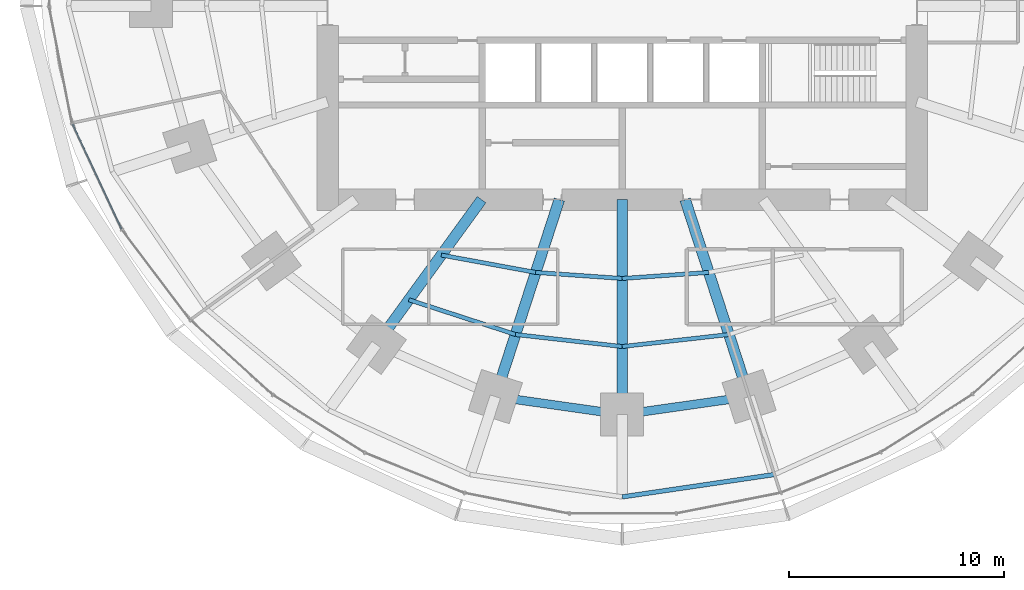
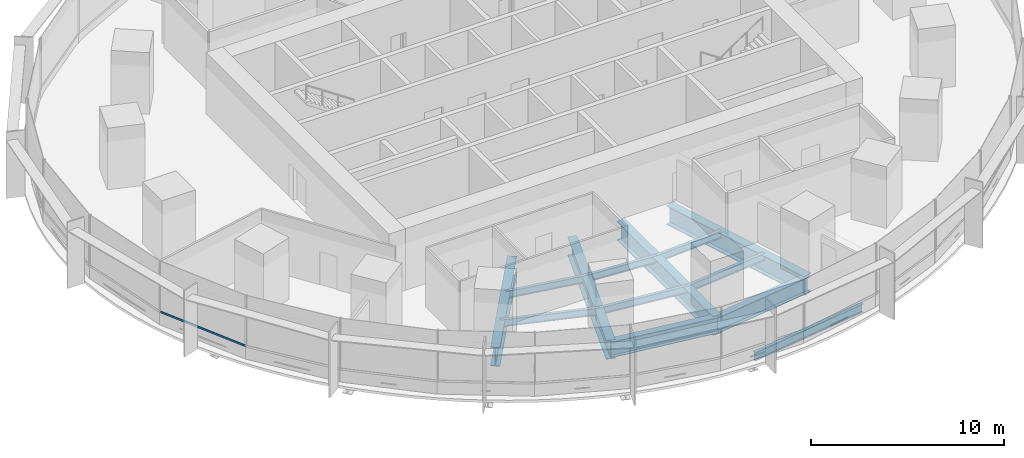
# One storey, part 3 of 15: 13 beams, 1 member, 1 element without a shape of its own.
"""IFC4 building model written with IfcOpenShell, lengths in metres."""

from ifc_helpers import new_model, si_unit, direction, frame, origin, origin_2d, place, context, subcontext, project, spatial, rectangle, i_section, extrude, material, material_profile, profile_set, type_object, element, aggregate, save


model = new_model("IFC4")

# Units and contexts
model_context = context("Model", 3, precision=1e-05, world=origin(), true_north=direction((0.0, 1.0)))
body_context = subcontext(model_context, "Body", "Model", "MODEL_VIEW")
ifc_project = project(units=[si_unit("LENGTHUNIT", "METRE"), si_unit("AREAUNIT", "SQUARE_METRE"), si_unit("VOLUMEUNIT", "CUBIC_METRE"), si_unit("PLANEANGLEUNIT", "RADIAN"), si_unit("MASSUNIT", "GRAM", prefix="KILO")], contexts=[model_context])

# Site, building, storey
site_placement = place(None, origin())
site = spatial("IfcSite", under=ifc_project, at=site_placement, CompositionType="ELEMENT")
building_placement = place(site_placement, origin())
building = spatial("IfcBuilding", under=site, at=building_placement, Name="Marramba Exchange Tower", CompositionType="ELEMENT")
storey_placement = place(building_placement, frame((0.0, 0.0, 23.800048828125)))
storey = spatial("IfcBuildingStorey", under=building, at=storey_placement, Name="L05", CompositionType="ELEMENT", Elevation=23.800048828125)

# Beams
ifc_material_1 = material(Name="Steel AS/NZS 3679.1 grade 300", Category="steel")
ifc_material_profile_1 = material_profile(ifc_material_1, i_section(OverallWidth=0.18994140625, OverallDepth=0.4541015625, WebThickness=0.008544921875, FlangeThickness=0.0126953125, FilletRadius=0.011474609375, at=origin_2d()), Name="460UB67.1")
ifc_profile_set_1 = profile_set([ifc_material_profile_1], Name="Steel AS/NZS 3679.1 grade 300")
beam_type_1 = type_object("IfcBeamType", Name="Floor joist 460UB67.1", PredefinedType="JOIST", material=ifc_profile_set_1)
beam_1_placement = place(storey_placement, frame((-8.41162109375, -11.57763671875, -0.386962890625), z_axis=(0.983455754421, -0.181148500119, 0.0), x_axis=(0.181148500119, 0.983455754421, 0.0)))
element("IfcBeam", 1, at=beam_1_placement, inside=storey, type_object=beam_type_1, Name="Joist L05 bay 14 row 1", PredefinedType="JOIST", context=body_context, shape_type="SweptSolid", body=[
    extrude(i_section(OverallWidth=0.18994140625, OverallDepth=0.4541015625, WebThickness=0.008544921875, FlangeThickness=0.0126953125, FilletRadius=0.011474609375, at=origin_2d()), origin(), (0.0, 0.0, 1.0), 4.4609375),
])
beam_2_placement = place(storey_placement, frame((-9.9208984375, -13.655029296875, -0.386962890625), z_axis=(0.950764024931, -0.309915744834, 0.0), x_axis=(0.309915744834, 0.950764024931, 0.0)))
element("IfcBeam", 2, at=beam_2_placement, inside=storey, type_object=beam_type_1, Name="Joist L05 bay 14 row 2", PredefinedType="JOIST", context=body_context, shape_type="SweptSolid", body=[
    extrude(i_section(OverallWidth=0.18994140625, OverallDepth=0.4541015625, WebThickness=0.008544921875, FlangeThickness=0.0126953125, FilletRadius=0.011474609375, at=origin_2d()), origin(), (0.0, 0.0, 1.0), 5.2158203125),
])
beam_3_placement = place(storey_placement, frame((-4.0244140625, -12.3857421875, -0.386962890625), z_axis=(0.99759625901, -0.069294328838, 0.0), x_axis=(0.069294328838, 0.99759625901, 0.0)))
element("IfcBeam", 3, at=beam_3_placement, inside=storey, type_object=beam_type_1, Name="Joist L05 bay 15 row 1", PredefinedType="JOIST", context=body_context, shape_type="SweptSolid", body=[
    extrude(i_section(OverallWidth=0.18994140625, OverallDepth=0.4541015625, WebThickness=0.008544921875, FlangeThickness=0.0126953125, FilletRadius=0.011474609375, at=origin_2d()), origin(), (0.0, 0.0, 1.0), 4.0341796875),
])
beam_4_placement = place(storey_placement, frame((-4.9619140625, -15.271484375, -0.386962890625), z_axis=(0.993712018573, -0.111966174106, 0.0), x_axis=(0.111966174106, 0.993712018573, 0.0)))
element("IfcBeam", 4, at=beam_4_placement, inside=storey, type_object=beam_type_1, Name="Joist L05 bay 15 row 2", PredefinedType="JOIST", context=body_context, shape_type="SweptSolid", body=[
    extrude(i_section(OverallWidth=0.18994140625, OverallDepth=0.4541015625, WebThickness=0.008544921875, FlangeThickness=0.0126953125, FilletRadius=0.011474609375, at=origin_2d()), origin(), (0.0, 0.0, 1.0), 4.993408203125),
])
beam_5_placement = place(storey_placement, frame((0.0, -12.665283203125, -0.386962890625), z_axis=(0.99759625901, 0.069294328838, 0.0), x_axis=(-0.069294328838, 0.99759625901, 0.0)))
element("IfcBeam", 5, at=beam_5_placement, inside=storey, type_object=beam_type_1, Name="Joist L05 bay 16 row 1", PredefinedType="JOIST", context=body_context, shape_type="SweptSolid", body=[
    extrude(i_section(OverallWidth=0.18994140625, OverallDepth=0.4541015625, WebThickness=0.008544921875, FlangeThickness=0.0126953125, FilletRadius=0.011474609375, at=origin_2d()), origin(), (0.0, 0.0, 1.0), 4.0341796875),
])
beam_6_placement = place(storey_placement, frame((0.0, -15.83056640625, -0.386962890625), z_axis=(0.993712018573, 0.111966174106, 0.0), x_axis=(-0.111966174106, 0.993712018573, 0.0)))
element("IfcBeam", 6, at=beam_6_placement, inside=storey, type_object=beam_type_1, Name="Joist L05 bay 16 row 2", PredefinedType="JOIST", context=body_context, shape_type="SweptSolid", body=[
    extrude(i_section(OverallWidth=0.18994140625, OverallDepth=0.4541015625, WebThickness=0.008544921875, FlangeThickness=0.0126953125, FilletRadius=0.011474609375, at=origin_2d()), origin(), (0.0, 0.0, 1.0), 4.993408203125),
])
ifc_material_2 = material(Name="Steel AS/NZS 3679.2 grade 300", Category="steel")
ifc_material_profile_2 = material_profile(ifc_material_2, i_section(OverallWidth=0.5, OverallDepth=1.199951171875, WebThickness=0.01611328125, FlangeThickness=0.0400390625, at=origin_2d()), Name="1200WB455")
ifc_profile_set_2 = profile_set([ifc_material_profile_2], Name="Steel AS/NZS 3679.2 grade 300")
beam_type_2 = type_object("IfcBeamType", Name="Radial girder 1200WB455", PredefinedType="BEAM", material=ifc_profile_set_2)
beam_7_placement = place(storey_placement, frame((-6.538818359375, -9.0, -0.760009765625), z_axis=(-0.587787877172, -0.809015087282, 0.0), x_axis=(0.809015087282, -0.587787877172, 0.0)))
element("IfcBeam", 7, at=beam_7_placement, inside=storey, type_object=beam_type_2, Name="Radial girder L05 TC14", PredefinedType="BEAM", context=body_context, shape_type="SweptSolid", body=[
    extrude(i_section(OverallWidth=0.5, OverallDepth=1.199951171875, WebThickness=0.01611328125, FlangeThickness=0.0400390625, at=origin_2d()), origin(), (0.0, 0.0, 1.0), 8.322021484375),
])
beam_8_placement = place(storey_placement, frame((-2.92431640625, -9.0, -0.760009765625), z_axis=(-0.309022428985, -0.951054750466, 0.0), x_axis=(0.951054750466, -0.309022428985, 0.0)))
element("IfcBeam", 8, at=beam_8_placement, inside=storey, type_object=beam_type_2, Name="Radial girder L05 TC15", PredefinedType="BEAM", context=body_context, shape_type="SweptSolid", body=[
    extrude(i_section(OverallWidth=0.5, OverallDepth=1.199951171875, WebThickness=0.01611328125, FlangeThickness=0.0400390625, at=origin_2d()), origin(), (0.0, 0.0, 1.0), 9.628173828125),
])
beam_9_placement = place(storey_placement, frame((0.0, -9.0, -0.760009765625), z_axis=(0.0, -1.0, 0.0), x_axis=(1.0, 0.0, 0.0)))
element("IfcBeam", 9, at=beam_9_placement, inside=storey, type_object=beam_type_2, Name="Radial girder L05 TC16", PredefinedType="BEAM", context=body_context, shape_type="SweptSolid", body=[
    extrude(i_section(OverallWidth=0.5, OverallDepth=1.199951171875, WebThickness=0.01611328125, FlangeThickness=0.0400390625, at=origin_2d()), origin(), (0.0, 0.0, 1.0), 9.99609375),
])
beam_10_placement = place(storey_placement, frame((2.92431640625, -9.0, -0.760009765625), z_axis=(0.309022428985, -0.951054750466, 0.0), x_axis=(0.951054750466, 0.309022428985, 0.0)))
element("IfcBeam", 10, at=beam_10_placement, inside=storey, type_object=beam_type_2, Name="Radial girder L05 TC17", PredefinedType="BEAM", context=body_context, shape_type="SweptSolid", body=[
    extrude(i_section(OverallWidth=0.5, OverallDepth=1.199951171875, WebThickness=0.01611328125, FlangeThickness=0.0400390625, at=origin_2d()), origin(), (0.0, 0.0, 1.0), 9.628173828125),
])
ifc_material_profile_3 = material_profile(ifc_material_2, i_section(OverallWidth=0.39990234375, OverallDepth=1.0, WebThickness=0.01611328125, FlangeThickness=0.031982421875, at=origin_2d()), Name="1000WB322")
ifc_profile_set_3 = profile_set([ifc_material_profile_3], Name="Steel AS/NZS 3679.2 grade 300")
beam_type_3 = type_object("IfcBeamType", Name="Ring beam 1000WB322", PredefinedType="SPANDREL", material=ifc_profile_set_3)
for number, where, z_axis, x_axis, name in (
    (11, (-5.899658203125, -18.156982421875, -0.66015625), (0.990036163016, -0.140813337152, 0.0), (0.140813337152, 0.990036163016, 0.0), "Ring beam L05 TC15-TC16"),
    (12, (0.0, -18.99609375, -0.66015625), (0.990036163016, 0.140813337152, 0.0), (-0.140813337152, 0.990036163016, 0.0), "Ring beam L05 TC16-TC17"),
):
    element("IfcBeam", number, at=place(storey_placement, frame(where, z_axis=z_axis, x_axis=x_axis)), inside=storey, type_object=beam_type_3, Name=name, PredefinedType="SPANDREL", context=body_context, shape_type="SweptSolid", body=[
        extrude(i_section(OverallWidth=0.39990234375, OverallDepth=1.0, WebThickness=0.01611328125, FlangeThickness=0.031982421875, at=origin_2d()), origin(), (0.0, 0.0, 1.0), 5.958984375),
    ])
ifc_material_profile_4 = material_profile(ifc_material_1, i_section(OverallWidth=0.208984375, OverallDepth=0.528076171875, WebThickness=0.009521484375, FlangeThickness=0.01318359375, FilletRadius=0.013916015625, at=origin_2d()), Name="530UB82.0")
ifc_profile_set_4 = profile_set([ifc_material_profile_4], Name="Steel AS/NZS 3679.1 grade 300")
beam_type_4 = type_object("IfcBeamType", Name="Slab edge beam 530UB82.0", PredefinedType="SPANDREL", material=ifc_profile_set_4)
beam_11_placement = place(storey_placement, frame((0.0, -22.822021484375, -0.424072265625), z_axis=(0.989338462178, 0.145634498848, 0.0), x_axis=(-0.145634498848, 0.989338462178, 0.0)))
element("IfcBeam", 13, at=beam_11_placement, inside=storey, type_object=beam_type_4, Name="Slab edge beam L05 TC16-TC17", PredefinedType="SPANDREL", context=body_context, shape_type="SweptSolid", body=[
    extrude(i_section(OverallWidth=0.208984375, OverallDepth=0.528076171875, WebThickness=0.009521484375, FlangeThickness=0.01318359375, FilletRadius=0.013916015625, at=origin_2d()), origin(), (0.0, 0.0, 1.0), 7.153076171875),
])

# Curtain wall, member
ifc_material_3 = material(Name="Aluminium framing, bronze anodised", Category="aluminium")
curtain_wall_type = type_object("IfcCurtainWallType", Name="Trading floor ribbon curtain wall", PredefinedType="USERDEFINED", material=ifc_material_3)
curtain_wall_placement = place(storey_placement, origin())
curtain_wall = element("IfcCurtainWall", 14, at=curtain_wall_placement, inside=storey, type_object=curtain_wall_type, Name="Curtain wall CW3 L05 F16-F20", ObjectType="RIBBON CURTAIN WALL", PredefinedType="USERDEFINED")
ifc_material_4 = material(Name="Aluminium transom, bronze anodised", Category="aluminium")
ifc_material_profile_5 = material_profile(ifc_material_4, rectangle(XDim=0.06005859375, YDim=0.1201171875, at=origin_2d()), Name="CW3 transom 60x120")
ifc_profile_set_5 = profile_set([ifc_material_profile_5], Name="Aluminium transom, bronze anodised")
member_type = type_object("IfcMemberType", Name="Trading floor ribbon curtain wall transom", PredefinedType="USERDEFINED", material=ifc_profile_set_5)
member_placement = place(storey_placement, frame((-25.559326171875, -5.492431640625, 0.829833984375), z_axis=(0.423494101671, -0.905898860718, 0.0), x_axis=(0.905898860718, 0.423494101671, 0.0)))
member = element("IfcMember", 15, at=member_placement, type_object=member_type, Name="CW3 sill transom", ObjectType="TRANSOM", PredefinedType="USERDEFINED", context=body_context, shape_type="SweptSolid", body=[
    extrude(rectangle(XDim=0.06005859375, YDim=0.1201171875, at=origin_2d()), origin(), (0.0, 0.0, 1.0), 5.379150390625),
])
aggregate(curtain_wall, [member])

save(model, "model.ifc")
